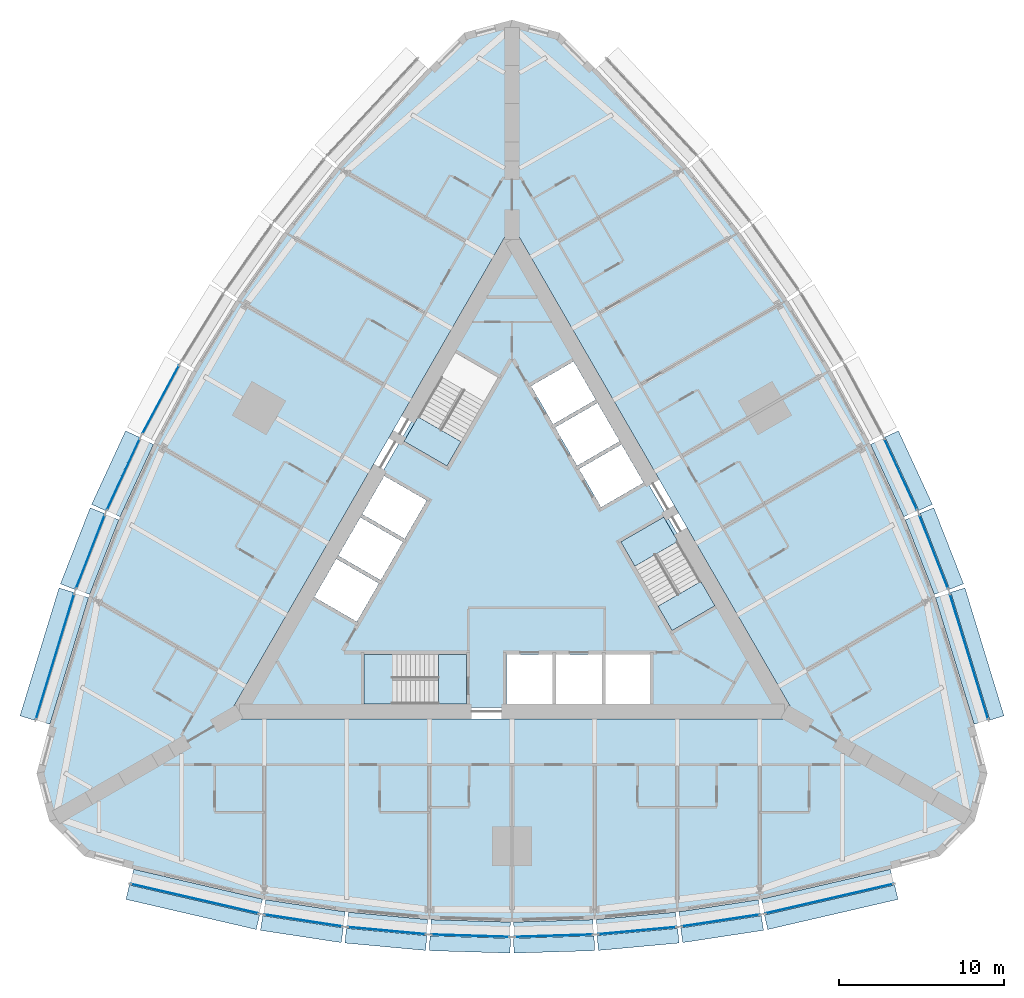
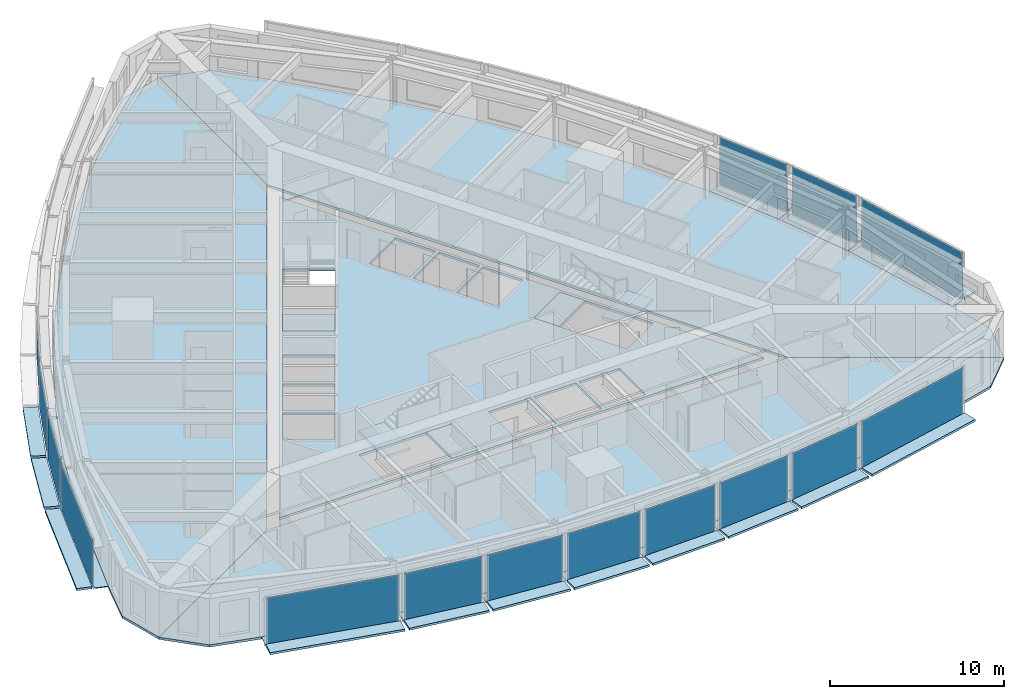
# One storey, part 6 of 14: 43 plates, 9 slabs, 18 elements without a shape of their own.
"""IFC4 building model written with IfcOpenShell, lengths in metres."""

from ifc_helpers import new_model, si_unit, direction, frame, origin, origin_2d, place, context, subcontext, project, spatial, polyline, rectangle, outline, extrude, material, layer, layer_set, type_object, element, aggregate, save


model = new_model("IFC4")

# Units and contexts
model_context = context("Model", 3, precision=1e-05, world=origin(), true_north=direction((0.0, 1.0)))
body_context = subcontext(model_context, "Body", "Model", "MODEL_VIEW")
ifc_project = project(units=[si_unit("LENGTHUNIT", "METRE"), si_unit("AREAUNIT", "SQUARE_METRE"), si_unit("VOLUMEUNIT", "CUBIC_METRE"), si_unit("PLANEANGLEUNIT", "RADIAN"), si_unit("MASSUNIT", "GRAM", prefix="KILO")], contexts=[model_context])

# Site, building, storey
site_placement = place(None, origin())
site = spatial("IfcSite", under=ifc_project, at=site_placement, CompositionType="ELEMENT")
building_placement = place(site_placement, origin())
building = spatial("IfcBuilding", under=site, at=building_placement, Name="Trikona Tower", CompositionType="ELEMENT")
storey_placement = place(building_placement, frame((0.0, 0.0, 93.10009765625)))
storey = spatial("IfcBuildingStorey", under=building, at=storey_placement, Name="L24", CompositionType="ELEMENT", Elevation=93.10009765625)

# Plates
ifc_material_1 = material(Name="Aluminium bar grating", Category="aluminium")
ifc_layer_1 = layer(ifc_material_1, 0.050048828125)
ifc_layer_set_1 = layer_set([ifc_layer_1], Name="Cavity catwalk grating")
plate_type_1 = type_object("IfcPlateType", Name="Cavity catwalk grating", PredefinedType="USERDEFINED", material=ifc_layer_set_1)
plate_1_placement = place(storey_placement, frame((-19.09228515625, -20.377197265625, -0.05029296875), z_axis=(0.0, 0.0, 1.0), x_axis=(0.974277718622, -0.225350675607, 0.0)))
element("IfcPlate", 1, at=plate_1_placement, inside=storey, type_object=plate_type_1, Name="Cavity catwalk L24-00", ObjectType="CATWALK GRATING", PredefinedType="USERDEFINED", context=body_context, shape_type="SweptSolid", body=[
    extrude(rectangle(XDim=8.01123046875, YDim=0.820068359375, at=origin_2d()), origin(), (0.0, 0.0, 1.0), 0.050048828125),
])
plate_2_placement = place(storey_placement, frame((-12.561767578125, -21.688720703125, -0.05029296875), z_axis=(0.0, 0.0, 1.0), x_axis=(0.988617896768, -0.150448177754, 0.0)))
element("IfcPlate", 2, at=plate_2_placement, inside=storey, type_object=plate_type_1, Name="Cavity catwalk L24-01", ObjectType="CATWALK GRATING", PredefinedType="USERDEFINED", context=body_context, shape_type="SweptSolid", body=[
    extrude(rectangle(XDim=4.857666015625, YDim=0.820068359375, at=origin_2d()), origin(), (0.0, 0.0, 1.0), 0.050048828125),
])
plate_3_placement = place(storey_placement, frame((-7.537353515625, -22.300537109375, -0.05029296875), z_axis=(0.0, 0.0, 1.0), x_axis=(0.995858098326, -0.090921108655, 0.0)))
element("IfcPlate", 3, at=plate_3_placement, inside=storey, type_object=plate_type_1, Name="Cavity catwalk L24-02", ObjectType="CATWALK GRATING", PredefinedType="USERDEFINED", context=body_context, shape_type="SweptSolid", body=[
    extrude(rectangle(XDim=4.82080078125, YDim=0.820068359375, at=origin_2d()), origin(), (0.0, 0.0, 1.0), 0.050048828125),
])
for number, where, z_axis, x_axis, name in (
    (4, (-2.512451171875, -22.606201171875, -0.05029296875), (0.0, 0.0, 1.0), (0.999537048889, -0.030425119525, 0.0), "Cavity catwalk L24-03"),
    (5, (2.512451171875, -22.606201171875, -0.05029296875), (0.0, 0.0, 1.0), (0.999537048889, 0.030425119525, 0.0), "Cavity catwalk L24-04"),
):
    element("IfcPlate", number, at=place(storey_placement, frame(where, z_axis=z_axis, x_axis=x_axis)), inside=storey, type_object=plate_type_1, Name=name, ObjectType="CATWALK GRATING", PredefinedType="USERDEFINED", context=body_context, shape_type="SweptSolid", body=[
        extrude(rectangle(XDim=4.80224609375, YDim=0.820068359375, at=origin_2d()), origin(), (0.0, 0.0, 1.0), 0.050048828125),
    ])
plate_4_placement = place(storey_placement, frame((7.537353515625, -22.300537109375, -0.05029296875), z_axis=(0.0, 0.0, 1.0), x_axis=(0.995858098326, 0.090921108655, 0.0)))
element("IfcPlate", 6, at=plate_4_placement, inside=storey, type_object=plate_type_1, Name="Cavity catwalk L24-05", ObjectType="CATWALK GRATING", PredefinedType="USERDEFINED", context=body_context, shape_type="SweptSolid", body=[
    extrude(rectangle(XDim=4.82080078125, YDim=0.820068359375, at=origin_2d()), origin(), (0.0, 0.0, 1.0), 0.050048828125),
])
plate_5_placement = place(storey_placement, frame((12.561767578125, -21.688720703125, -0.05029296875), z_axis=(0.0, 0.0, 1.0), x_axis=(0.988617896768, 0.150448177754, 0.0)))
element("IfcPlate", 7, at=plate_5_placement, inside=storey, type_object=plate_type_1, Name="Cavity catwalk L24-06", ObjectType="CATWALK GRATING", PredefinedType="USERDEFINED", context=body_context, shape_type="SweptSolid", body=[
    extrude(rectangle(XDim=4.857666015625, YDim=0.820068359375, at=origin_2d()), origin(), (0.0, 0.0, 1.0), 0.050048828125),
])
for number, where, z_axis, x_axis, name in (
    (8, (19.09228515625, -20.377197265625, -0.05029296875), (0.0, 0.0, 1.0), (0.974277718622, 0.225350675607, 0.0), "Cavity catwalk L24-07"),
    (9, (27.193359375, -6.345947265625, -0.05029296875), (0.0, 0.0, 1.0), (-0.291979449475, 0.956424592471, 0.0), "Cavity catwalk L24-12"),
):
    element("IfcPlate", number, at=place(storey_placement, frame(where, z_axis=z_axis, x_axis=x_axis)), inside=storey, type_object=plate_type_1, Name=name, ObjectType="CATWALK GRATING", PredefinedType="USERDEFINED", context=body_context, shape_type="SweptSolid", body=[
        extrude(rectangle(XDim=8.01123046875, YDim=0.820068359375, at=origin_2d()), origin(), (0.0, 0.0, 1.0), 0.050048828125),
    ])
plate_6_placement = place(storey_placement, frame((25.06396484375, -0.034423828125, -0.05029296875), z_axis=(0.0, 0.0, 1.0), x_axis=(-0.364008876551, 0.931395478726, 0.0)))
element("IfcPlate", 10, at=plate_6_placement, inside=storey, type_object=plate_type_1, Name="Cavity catwalk L24-13", ObjectType="CATWALK GRATING", PredefinedType="USERDEFINED", context=body_context, shape_type="SweptSolid", body=[
    extrude(rectangle(XDim=4.857666015625, YDim=0.820068359375, at=origin_2d()), origin(), (0.0, 0.0, 1.0), 0.050048828125),
])
for number, where, z_axis, x_axis, name in (
    (11, (23.081298828125, 4.622802734375, -0.05029296875), (0.0, 0.0, 1.0), (-0.41919381307, 0.907896771161, 0.0), "Cavity catwalk L24-14"),
    (12, (-23.081298828125, 4.622802734375, -0.05029296875), (0.0, 0.0, 1.0), (-0.41919381307, -0.907896771161, 0.0), "Cavity catwalk L24-29"),
):
    element("IfcPlate", number, at=place(storey_placement, frame(where, z_axis=z_axis, x_axis=x_axis)), inside=storey, type_object=plate_type_1, Name=name, ObjectType="CATWALK GRATING", PredefinedType="USERDEFINED", context=body_context, shape_type="SweptSolid", body=[
        extrude(rectangle(XDim=4.82080078125, YDim=0.820068359375, at=origin_2d()), origin(), (0.0, 0.0, 1.0), 0.050048828125),
    ])
plate_7_placement = place(storey_placement, frame((-25.06396484375, -0.034423828125, -0.05029296875), z_axis=(0.0, 0.0, 1.0), x_axis=(-0.364008876551, -0.931395478726, 0.0)))
element("IfcPlate", 13, at=plate_7_placement, inside=storey, type_object=plate_type_1, Name="Cavity catwalk L24-30", ObjectType="CATWALK GRATING", PredefinedType="USERDEFINED", context=body_context, shape_type="SweptSolid", body=[
    extrude(rectangle(XDim=4.857666015625, YDim=0.820068359375, at=origin_2d()), origin(), (0.0, 0.0, 1.0), 0.050048828125),
])
plate_8_placement = place(storey_placement, frame((-27.193359375, -6.345947265625, -0.05029296875), z_axis=(0.0, 0.0, 1.0), x_axis=(-0.291979449475, -0.956424592471, 0.0)))
element("IfcPlate", 14, at=plate_8_placement, inside=storey, type_object=plate_type_1, Name="Cavity catwalk L24-31", ObjectType="CATWALK GRATING", PredefinedType="USERDEFINED", context=body_context, shape_type="SweptSolid", body=[
    extrude(rectangle(XDim=8.01123046875, YDim=0.820068359375, at=origin_2d()), origin(), (0.0, 0.0, 1.0), 0.050048828125),
])

# Slabs
ifc_material_2 = material(Name="Concrete f'c 5000 psi lightweight on composite steel deck", Category="concrete")
ifc_layer_2 = layer(ifc_material_2, 0.1650390625)
ifc_layer_set_2 = layer_set([ifc_layer_2], Name="Composite floor slab 165")
slab_type_1 = type_object("IfcSlabType", Name="Composite floor slab 165", PredefinedType="FLOOR", material=ifc_layer_set_2)
slab_1_placement = place(storey_placement, frame((0.0, 0.0, -0.1650390625)))
element("IfcSlab", 15, at=slab_1_placement, inside=storey, type_object=slab_type_1, Name="Floor slab L24 core", PredefinedType="FLOOR", context=body_context, shape_type="SweptSolid", body=[
    extrude(outline(polyline([(-16.06689453125, -9.2763671875), (16.06689453125, -9.2763671875), (0.0, 18.552490234375), (-16.06689453125, -9.2763671875)]), holes=[polyline([(12.285400390625, -3.126220703125), (9.185302734375, 2.2431640625), (6.587158203125, 0.7431640625), (9.687255859375, -4.626220703125), (12.285400390625, -3.126220703125)]), polyline([(8.340087890625, -9.06640625), (8.340087890625, -6.086181640625), (5.659912109375, -6.086181640625), (5.659912109375, -9.06640625), (8.340087890625, -9.06640625)]), polyline([(5.390869140625, 2.835205078125), (7.9716796875, 4.3251953125), (6.631591796875, 6.646240234375), (4.05078125, 5.15625), (5.390869140625, 2.835205078125)]), polyline([(2.600830078125, 7.667724609375), (3.94091796875, 5.3466796875), (6.521484375, 6.8369140625), (5.181640625, 9.15771484375), (2.600830078125, 7.667724609375)]), polyline([(5.43994140625, -6.086181640625), (2.659912109375, -6.086181640625), (2.659912109375, -9.06640625), (5.43994140625, -9.06640625), (5.43994140625, -6.086181640625)]), polyline([(3.731689453125, 11.669189453125), (1.15087890625, 10.17919921875), (2.490966796875, 7.858154296875), (5.071533203125, 9.34814453125), (3.731689453125, 11.669189453125)]), polyline([(-0.340087890625, -6.086181640625), (-0.340087890625, -9.06640625), (2.43994140625, -9.06640625), (2.43994140625, -6.086181640625), (-0.340087890625, -6.086181640625)]), polyline([(-3.435302734375, 12.202392578125), (-6.535400390625, 6.8330078125), (-3.937255859375, 5.3330078125), (-0.837158203125, 10.702392578125), (-3.435302734375, 12.202392578125)]), polyline([(-8.949951171875, -9.076416015625), (-2.75, -9.076416015625), (-2.75, -6.076416015625), (-8.949951171875, -6.076416015625), (-8.949951171875, -9.076416015625)]), polyline([(-5.15087890625, 3.2509765625), (-7.731689453125, 4.740966796875), (-9.071533203125, 2.419921875), (-6.490966796875, 0.929931640625), (-5.15087890625, 3.2509765625)]), polyline([(-7.94091796875, -1.581298828125), (-6.600830078125, 0.739501953125), (-9.181640625, 2.2294921875), (-10.521484375, -0.09130859375), (-7.94091796875, -1.581298828125)]), polyline([(-11.9716796875, -2.602783203125), (-9.390869140625, -4.093017578125), (-8.05078125, -1.77197265625), (-10.631591796875, -0.281982421875), (-11.9716796875, -2.602783203125)])]), origin(), (0.0, 0.0, 1.0), 0.1650390625),
])
slab_2_placement = place(storey_placement, frame((0.0, 0.0, -0.1650390625)))
element("IfcSlab", 16, at=slab_2_placement, inside=storey, type_object=slab_type_1, Name="Floor slab L24 south", PredefinedType="FLOOR", context=body_context, shape_type="SweptSolid", body=[
    extrude(outline(polyline([(25.88671875, -18.279052734375), (28.0, -16.165771484375), (17.279296875, -9.976318359375), (-17.279296875, -9.976318359375), (-28.0, -16.165771484375), (-25.88671875, -18.279052734375), (-23.0, -19.052490234375), (-15.0, -20.903076171875), (-10.0, -21.663818359375), (-5.0, -22.120361328125), (0.0, -22.272705078125), (5.0, -22.120361328125), (10.0, -21.663818359375), (15.0, -20.903076171875), (23.0, -19.052490234375), (25.88671875, -18.279052734375)])), origin(), (0.0, 0.0, 1.0), 0.1650390625),
])
slab_3_placement = place(storey_placement, frame((0.0, 0.0, -0.1650390625)))
element("IfcSlab", 17, at=slab_3_placement, inside=storey, type_object=slab_type_1, Name="Floor slab L24 north-east", PredefinedType="FLOOR", context=body_context, shape_type="SweptSolid", body=[
    extrude(outline(polyline([(2.88671875, 31.55810546875), (0.0, 32.33154296875), (0.0, 19.95263671875), (17.279296875, -9.976318359375), (28.0, -16.165771484375), (28.7734375, -13.279052734375), (28.0, -10.392333984375), (25.6025390625, -2.538818359375), (23.761474609375, 2.171630859375), (21.65673828125, 6.72998046875), (19.28857421875, 11.13623046875), (16.65673828125, 15.390380859375), (13.761474609375, 19.4921875), (10.6025390625, 23.44189453125), (5.0, 29.44482421875), (2.88671875, 31.55810546875)])), origin(), (0.0, 0.0, 1.0), 0.1650390625),
])
slab_4_placement = place(storey_placement, frame((0.0, 0.0, -0.1650390625)))
element("IfcSlab", 18, at=slab_4_placement, inside=storey, type_object=slab_type_1, Name="Floor slab L24 north-west", PredefinedType="FLOOR", context=body_context, shape_type="SweptSolid", body=[
    extrude(outline(polyline([(0.0, 19.95263671875), (0.0, 32.33154296875), (-2.88671875, 31.55810546875), (-5.0, 29.44482421875), (-10.6025390625, 23.44189453125), (-13.761474609375, 19.4921875), (-16.65673828125, 15.390380859375), (-19.28857421875, 11.13623046875), (-21.65673828125, 6.72998046875), (-23.761474609375, 2.171630859375), (-25.6025390625, -2.538818359375), (-28.0, -10.392333984375), (-28.7734375, -13.279052734375), (-28.0, -16.165771484375), (-17.279296875, -9.976318359375), (0.0, 19.95263671875)])), origin(), (0.0, 0.0, 1.0), 0.1650390625),
])

# Curtain wall, plate
ifc_material_3 = material(Name="Aluminium curtain wall system", Category="aluminium")
curtain_wall_type = type_object("IfcCurtainWallType", Name="Curtain wall DS1", PredefinedType="NOTDEFINED", material=ifc_material_3)
curtain_wall_1_placement = place(storey_placement, origin())
curtain_wall_1 = element("IfcCurtainWall", 19, at=curtain_wall_1_placement, inside=storey, type_object=curtain_wall_type, Name="Curtain wall DS1 L24", PredefinedType="NOTDEFINED")
ifc_material_4 = material(Name="Laminated clear glass", Category="glass")
ifc_layer_3 = layer(ifc_material_4, 0.028076171875)
ifc_layer_set_3 = layer_set([ifc_layer_3], Name="Glass panel DS1")
plate_type_2 = type_object("IfcPlateType", Name="Glass panel DS1", PredefinedType="CURTAIN_PANEL", material=ifc_layer_set_3)
plate_9_placement = place(storey_placement, frame((-19.202880859375, -20.854736328125, 0.0), z_axis=(0.0, 0.0, 1.0), x_axis=(0.974279427173, -0.225343288756, 0.0)))
plate_9 = element("IfcPlate", 20, at=plate_9_placement, type_object=plate_type_2, Name="CW-DS1 panel 1.1", PredefinedType="CURTAIN_PANEL", context=body_context, shape_type="SweptSolid", body=[
    extrude(rectangle(XDim=7.93115234375, YDim=0.028076171875, at=origin_2d()), origin(), (0.0, 0.0, 1.0), 3.320068359375),
])
aggregate(curtain_wall_1, [plate_9])

curtain_wall_2_placement = place(storey_placement, origin())
curtain_wall_2 = element("IfcCurtainWall", 21, at=curtain_wall_2_placement, inside=storey, type_object=curtain_wall_type, Name="Curtain wall DS1 L24", PredefinedType="NOTDEFINED")
plate_10_placement = place(storey_placement, frame((-12.635498046875, -22.173095703125, 0.0), z_axis=(0.0, 0.0, 1.0), x_axis=(0.988619492156, -0.150437693845, 0.0)))
plate_10 = element("IfcPlate", 22, at=plate_10_placement, type_object=plate_type_2, Name="CW-DS1 panel 1.1", PredefinedType="CURTAIN_PANEL", context=body_context, shape_type="SweptSolid", body=[
    extrude(rectangle(XDim=4.777587890625, YDim=0.028076171875, at=origin_2d()), origin(), (0.0, 0.0, 1.0), 3.320068359375),
])
aggregate(curtain_wall_2, [plate_10])

curtain_wall_3_placement = place(storey_placement, origin())
curtain_wall_3 = element("IfcCurtainWall", 23, at=curtain_wall_3_placement, inside=storey, type_object=curtain_wall_type, Name="Curtain wall DS1 L24", PredefinedType="NOTDEFINED")
plate_11_placement = place(storey_placement, frame((-7.581787109375, -22.788330078125, 0.0), z_axis=(0.0, 0.0, 1.0), x_axis=(0.995857840485, -0.090923932737, 0.0)))
plate_11 = element("IfcPlate", 24, at=plate_11_placement, type_object=plate_type_2, Name="CW-DS1 panel 1.1", PredefinedType="CURTAIN_PANEL", context=body_context, shape_type="SweptSolid", body=[
    extrude(rectangle(XDim=4.74072265625, YDim=0.028076171875, at=origin_2d()), origin(), (0.0, 0.0, 1.0), 3.320068359375),
])
aggregate(curtain_wall_3, [plate_11])

curtain_wall_4_placement = place(storey_placement, origin())
curtain_wall_4 = element("IfcCurtainWall", 25, at=curtain_wall_4_placement, inside=storey, type_object=curtain_wall_type, Name="Curtain wall DS1 L24", PredefinedType="NOTDEFINED")
plate_12_placement = place(storey_placement, frame((-2.52734375, -23.09619140625, 0.0), z_axis=(0.0, 0.0, 1.0), x_axis=(0.999536695965, -0.030436711692, 0.0)))
plate_12 = element("IfcPlate", 26, at=plate_12_placement, type_object=plate_type_2, Name="CW-DS1 panel 1.1", PredefinedType="CURTAIN_PANEL", context=body_context, shape_type="SweptSolid", body=[
    extrude(rectangle(XDim=4.72216796875, YDim=0.028076171875, at=origin_2d()), origin(), (0.0, 0.0, 1.0), 3.320068359375),
])
aggregate(curtain_wall_4, [plate_12])

curtain_wall_5_placement = place(storey_placement, origin())
curtain_wall_5 = element("IfcCurtainWall", 27, at=curtain_wall_5_placement, inside=storey, type_object=curtain_wall_type, Name="Curtain wall DS1 L24", PredefinedType="NOTDEFINED")
plate_13_placement = place(storey_placement, frame((2.52734375, -23.09619140625, 0.0), z_axis=(0.0, 0.0, 1.0), x_axis=(0.999536695965, 0.030436711692, 0.0)))
plate_13 = element("IfcPlate", 28, at=plate_13_placement, type_object=plate_type_2, Name="CW-DS1 panel 1.1", PredefinedType="CURTAIN_PANEL", context=body_context, shape_type="SweptSolid", body=[
    extrude(rectangle(XDim=4.72216796875, YDim=0.028076171875, at=origin_2d()), origin(), (0.0, 0.0, 1.0), 3.320068359375),
])
aggregate(curtain_wall_5, [plate_13])

curtain_wall_6_placement = place(storey_placement, origin())
curtain_wall_6 = element("IfcCurtainWall", 29, at=curtain_wall_6_placement, inside=storey, type_object=curtain_wall_type, Name="Curtain wall DS1 L24", PredefinedType="NOTDEFINED")
plate_14_placement = place(storey_placement, frame((7.581787109375, -22.788330078125, 0.0), z_axis=(0.0, 0.0, 1.0), x_axis=(0.995857840485, 0.090923932737, 0.0)))
plate_14 = element("IfcPlate", 30, at=plate_14_placement, type_object=plate_type_2, Name="CW-DS1 panel 1.1", PredefinedType="CURTAIN_PANEL", context=body_context, shape_type="SweptSolid", body=[
    extrude(rectangle(XDim=4.74072265625, YDim=0.028076171875, at=origin_2d()), origin(), (0.0, 0.0, 1.0), 3.320068359375),
])
aggregate(curtain_wall_6, [plate_14])

curtain_wall_7_placement = place(storey_placement, origin())
curtain_wall_7 = element("IfcCurtainWall", 31, at=curtain_wall_7_placement, inside=storey, type_object=curtain_wall_type, Name="Curtain wall DS1 L24", PredefinedType="NOTDEFINED")
plate_15_placement = place(storey_placement, frame((12.635498046875, -22.173095703125, 0.0), z_axis=(0.0, 0.0, 1.0), x_axis=(0.988619492156, 0.150437693845, 0.0)))
plate_15 = element("IfcPlate", 32, at=plate_15_placement, type_object=plate_type_2, Name="CW-DS1 panel 1.1", PredefinedType="CURTAIN_PANEL", context=body_context, shape_type="SweptSolid", body=[
    extrude(rectangle(XDim=4.777587890625, YDim=0.028076171875, at=origin_2d()), origin(), (0.0, 0.0, 1.0), 3.320068359375),
])
aggregate(curtain_wall_7, [plate_15])

curtain_wall_8_placement = place(storey_placement, origin())
curtain_wall_8 = element("IfcCurtainWall", 33, at=curtain_wall_8_placement, inside=storey, type_object=curtain_wall_type, Name="Curtain wall DS1 L24", PredefinedType="NOTDEFINED")
plate_16_placement = place(storey_placement, frame((19.202880859375, -20.854736328125, 0.0), z_axis=(0.0, 0.0, 1.0), x_axis=(0.974279427173, 0.225343288756, 0.0)))
plate_16 = element("IfcPlate", 34, at=plate_16_placement, type_object=plate_type_2, Name="CW-DS1 panel 1.1", PredefinedType="CURTAIN_PANEL", context=body_context, shape_type="SweptSolid", body=[
    extrude(rectangle(XDim=7.93115234375, YDim=0.028076171875, at=origin_2d()), origin(), (0.0, 0.0, 1.0), 3.320068359375),
])
aggregate(curtain_wall_8, [plate_16])

curtain_wall_9_placement = place(storey_placement, origin())
curtain_wall_9 = element("IfcCurtainWall", 35, at=curtain_wall_9_placement, inside=storey, type_object=curtain_wall_type, Name="Curtain wall DS1 L24", PredefinedType="NOTDEFINED")
plate_17_placement = place(storey_placement, frame((27.662109375, -6.202880859375, 0.0), z_axis=(0.0, 0.0, 1.0), x_axis=(-0.291984287868, 0.956423115383, 0.0)))
plate_17 = element("IfcPlate", 36, at=plate_17_placement, type_object=plate_type_2, Name="CW-DS1 panel 1.1", PredefinedType="CURTAIN_PANEL", context=body_context, shape_type="SweptSolid", body=[
    extrude(rectangle(XDim=7.93115234375, YDim=0.028076171875, at=origin_2d()), origin(), (0.0, 0.0, 1.0), 3.320068359375),
])
aggregate(curtain_wall_9, [plate_17])

curtain_wall_10_placement = place(storey_placement, origin())
curtain_wall_10 = element("IfcCurtainWall", 37, at=curtain_wall_10_placement, inside=storey, type_object=curtain_wall_type, Name="Curtain wall DS1 L24", PredefinedType="NOTDEFINED")
plate_18_placement = place(storey_placement, frame((25.520263671875, 0.14404296875, 0.0), z_axis=(0.0, 0.0, 1.0), x_axis=(-0.36400756977, 0.931395989443, 0.0)))
plate_18 = element("IfcPlate", 38, at=plate_18_placement, type_object=plate_type_2, Name="CW-DS1 panel 1.1", PredefinedType="CURTAIN_PANEL", context=body_context, shape_type="SweptSolid", body=[
    extrude(rectangle(XDim=4.777587890625, YDim=0.028076171875, at=origin_2d()), origin(), (0.0, 0.0, 1.0), 3.320068359375),
])
aggregate(curtain_wall_10, [plate_18])

curtain_wall_11_placement = place(storey_placement, origin())
curtain_wall_11 = element("IfcCurtainWall", 39, at=curtain_wall_11_placement, inside=storey, type_object=curtain_wall_type, Name="Curtain wall DS1 L24", PredefinedType="NOTDEFINED")
plate_19_placement = place(storey_placement, frame((23.5263671875, 4.828125, 0.0), z_axis=(0.0, 0.0, 1.0), x_axis=(-0.419190155352, 0.907898459992, 0.0)))
plate_19 = element("IfcPlate", 40, at=plate_19_placement, type_object=plate_type_2, Name="CW-DS1 panel 1.1", PredefinedType="CURTAIN_PANEL", context=body_context, shape_type="SweptSolid", body=[
    extrude(rectangle(XDim=4.740966796875, YDim=0.028076171875, at=origin_2d()), origin(), (0.0, 0.0, 1.0), 3.320068359375),
])
aggregate(curtain_wall_11, [plate_19])

curtain_wall_12_placement = place(storey_placement, origin())
curtain_wall_12 = element("IfcCurtainWall", 41, at=curtain_wall_12_placement, inside=storey, type_object=curtain_wall_type, Name="Curtain wall DS1 L24", PredefinedType="NOTDEFINED")
plate_20_placement = place(storey_placement, frame((-21.265380859375, 9.359130859375, 0.0), z_axis=(0.0, 0.0, 1.0), x_axis=(-0.473408350896, -0.880843080975, 0.0)))
plate_20 = element("IfcPlate", 42, at=plate_20_placement, type_object=plate_type_2, Name="CW-DS1 panel 1.1", PredefinedType="CURTAIN_PANEL", context=body_context, shape_type="SweptSolid", body=[
    extrude(rectangle(XDim=4.72216796875, YDim=0.028076171875, at=origin_2d()), origin(), (0.0, 0.0, 1.0), 3.320068359375),
])
aggregate(curtain_wall_12, [plate_20])

curtain_wall_13_placement = place(storey_placement, origin())
curtain_wall_13 = element("IfcCurtainWall", 43, at=curtain_wall_13_placement, inside=storey, type_object=curtain_wall_type, Name="Curtain wall DS1 L24", PredefinedType="NOTDEFINED")
plate_21_placement = place(storey_placement, frame((-23.5263671875, 4.828125, 0.0), z_axis=(0.0, 0.0, 1.0), x_axis=(-0.419190155352, -0.907898459992, 0.0)))
plate_21 = element("IfcPlate", 44, at=plate_21_placement, type_object=plate_type_2, Name="CW-DS1 panel 1.1", PredefinedType="CURTAIN_PANEL", context=body_context, shape_type="SweptSolid", body=[
    extrude(rectangle(XDim=4.740966796875, YDim=0.028076171875, at=origin_2d()), origin(), (0.0, 0.0, 1.0), 3.320068359375),
])
aggregate(curtain_wall_13, [plate_21])

curtain_wall_14_placement = place(storey_placement, origin())
curtain_wall_14 = element("IfcCurtainWall", 45, at=curtain_wall_14_placement, inside=storey, type_object=curtain_wall_type, Name="Curtain wall DS1 L24", PredefinedType="NOTDEFINED")
plate_22_placement = place(storey_placement, frame((-25.520263671875, 0.14404296875, 0.0), z_axis=(0.0, 0.0, 1.0), x_axis=(-0.36400756977, -0.931395989443, 0.0)))
plate_22 = element("IfcPlate", 46, at=plate_22_placement, type_object=plate_type_2, Name="CW-DS1 panel 1.1", PredefinedType="CURTAIN_PANEL", context=body_context, shape_type="SweptSolid", body=[
    extrude(rectangle(XDim=4.777587890625, YDim=0.028076171875, at=origin_2d()), origin(), (0.0, 0.0, 1.0), 3.320068359375),
])
aggregate(curtain_wall_14, [plate_22])

curtain_wall_15_placement = place(storey_placement, origin())
curtain_wall_15 = element("IfcCurtainWall", 47, at=curtain_wall_15_placement, inside=storey, type_object=curtain_wall_type, Name="Curtain wall DS1 L24", PredefinedType="NOTDEFINED")
plate_23_placement = place(storey_placement, frame((-27.662109375, -6.202880859375, 0.0), z_axis=(0.0, 0.0, 1.0), x_axis=(-0.291984287868, -0.956423115383, 0.0)))
plate_23 = element("IfcPlate", 48, at=plate_23_placement, type_object=plate_type_2, Name="CW-DS1 panel 1.1", PredefinedType="CURTAIN_PANEL", context=body_context, shape_type="SweptSolid", body=[
    extrude(rectangle(XDim=7.93115234375, YDim=0.028076171875, at=origin_2d()), origin(), (0.0, 0.0, 1.0), 3.320068359375),
])
aggregate(curtain_wall_15, [plate_23])

# Plates
ifc_material_5 = material(Name="Aluminium plate fin, pale anodised, on stainless steel outriggers", Category="steel")
ifc_layer_4 = layer(ifc_material_5, 0.14990234375)
ifc_layer_set_4 = layer_set([ifc_layer_4], Name="Outer skin fin 900")
plate_type_3 = type_object("IfcPlateType", Name="Outer skin fin 900", PredefinedType="USERDEFINED", material=ifc_layer_set_4)
plate_24_placement = place(storey_placement, frame((-19.322265625, -21.37109375, 0.0), z_axis=(0.0, 0.0, 1.0), x_axis=(0.974277718622, -0.225350675607, 0.0)))
element("IfcPlate", 49, at=plate_24_placement, inside=storey, type_object=plate_type_3, Name="Outer skin fin L24-00", ObjectType="FIN", PredefinedType="USERDEFINED", context=body_context, shape_type="SweptSolid", body=[
    extrude(rectangle(XDim=8.09130859375, YDim=0.89990234375, at=origin_2d()), origin(), (0.0, 0.0, 1.0), 0.14990234375),
])
plate_25_placement = place(storey_placement, frame((-12.715087890625, -22.697265625, 0.0), z_axis=(0.0, 0.0, 1.0), x_axis=(0.988617896768, -0.150448177754, 0.0)))
element("IfcPlate", 50, at=plate_25_placement, inside=storey, type_object=plate_type_3, Name="Outer skin fin L24-01", ObjectType="FIN", PredefinedType="USERDEFINED", context=body_context, shape_type="SweptSolid", body=[
    extrude(rectangle(XDim=4.9375, YDim=0.89990234375, at=origin_2d()), origin(), (0.0, 0.0, 1.0), 0.14990234375),
])
plate_26_placement = place(storey_placement, frame((-7.6298828125, -23.316162109375, 0.0), z_axis=(0.0, 0.0, 1.0), x_axis=(0.995858098326, -0.090921108655, 0.0)))
element("IfcPlate", 51, at=plate_26_placement, inside=storey, type_object=plate_type_3, Name="Outer skin fin L24-02", ObjectType="FIN", PredefinedType="USERDEFINED", context=body_context, shape_type="SweptSolid", body=[
    extrude(rectangle(XDim=4.90087890625, YDim=0.89990234375, at=origin_2d()), origin(), (0.0, 0.0, 1.0), 0.14990234375),
])
for number, where, z_axis, x_axis, name in (
    (52, (-2.54345703125, -23.625732421875, 0.0), (0.0, 0.0, 1.0), (0.999537048889, -0.030425119525, 0.0), "Outer skin fin L24-03"),
    (53, (2.54345703125, -23.625732421875, 0.0), (0.0, 0.0, 1.0), (0.999537048889, 0.030425119525, 0.0), "Outer skin fin L24-04"),
):
    element("IfcPlate", number, at=place(storey_placement, frame(where, z_axis=z_axis, x_axis=x_axis)), inside=storey, type_object=plate_type_3, Name=name, ObjectType="FIN", PredefinedType="USERDEFINED", context=body_context, shape_type="SweptSolid", body=[
        extrude(rectangle(XDim=4.88232421875, YDim=0.89990234375, at=origin_2d()), origin(), (0.0, 0.0, 1.0), 0.14990234375),
    ])
plate_27_placement = place(storey_placement, frame((7.6298828125, -23.316162109375, 0.0), z_axis=(0.0, 0.0, 1.0), x_axis=(0.995858098326, 0.090921108655, 0.0)))
element("IfcPlate", 54, at=plate_27_placement, inside=storey, type_object=plate_type_3, Name="Outer skin fin L24-05", ObjectType="FIN", PredefinedType="USERDEFINED", context=body_context, shape_type="SweptSolid", body=[
    extrude(rectangle(XDim=4.90087890625, YDim=0.89990234375, at=origin_2d()), origin(), (0.0, 0.0, 1.0), 0.14990234375),
])
plate_28_placement = place(storey_placement, frame((12.715087890625, -22.697265625, 0.0), z_axis=(0.0, 0.0, 1.0), x_axis=(0.988617896768, 0.150448177754, 0.0)))
element("IfcPlate", 55, at=plate_28_placement, inside=storey, type_object=plate_type_3, Name="Outer skin fin L24-06", ObjectType="FIN", PredefinedType="USERDEFINED", context=body_context, shape_type="SweptSolid", body=[
    extrude(rectangle(XDim=4.9375, YDim=0.89990234375, at=origin_2d()), origin(), (0.0, 0.0, 1.0), 0.14990234375),
])
for number, where, z_axis, x_axis, name in (
    (56, (19.322265625, -21.37109375, 0.0), (0.0, 0.0, 1.0), (0.974277718622, 0.225350675607, 0.0), "Outer skin fin L24-07"),
    (57, (28.1689453125, -6.048095703125, 0.0), (0.0, 0.0, 1.0), (-0.291979449475, 0.956424592471, 0.0), "Outer skin fin L24-12"),
):
    element("IfcPlate", number, at=place(storey_placement, frame(where, z_axis=z_axis, x_axis=x_axis)), inside=storey, type_object=plate_type_3, Name=name, ObjectType="FIN", PredefinedType="USERDEFINED", context=body_context, shape_type="SweptSolid", body=[
        extrude(rectangle(XDim=8.09130859375, YDim=0.89990234375, at=origin_2d()), origin(), (0.0, 0.0, 1.0), 0.14990234375),
    ])
plate_29_placement = place(storey_placement, frame((26.013916015625, 0.3369140625, 0.0), z_axis=(0.0, 0.0, 1.0), x_axis=(-0.364008876551, 0.931395478726, 0.0)))
element("IfcPlate", 58, at=plate_29_placement, inside=storey, type_object=plate_type_3, Name="Outer skin fin L24-13", ObjectType="FIN", PredefinedType="USERDEFINED", context=body_context, shape_type="SweptSolid", body=[
    extrude(rectangle(XDim=4.9375, YDim=0.89990234375, at=origin_2d()), origin(), (0.0, 0.0, 1.0), 0.14990234375),
])
for number, where, z_axis, x_axis, name in (
    (59, (24.00732421875, 5.05029296875, 0.0), (0.0, 0.0, 1.0), (-0.41919381307, 0.907896771161, 0.0), "Outer skin fin L24-14"),
    (60, (-24.00732421875, 5.05029296875, 0.0), (0.0, 0.0, 1.0), (-0.41919381307, -0.907896771161, 0.0), "Outer skin fin L24-29"),
):
    element("IfcPlate", number, at=place(storey_placement, frame(where, z_axis=z_axis, x_axis=x_axis)), inside=storey, type_object=plate_type_3, Name=name, ObjectType="FIN", PredefinedType="USERDEFINED", context=body_context, shape_type="SweptSolid", body=[
        extrude(rectangle(XDim=4.90087890625, YDim=0.89990234375, at=origin_2d()), origin(), (0.0, 0.0, 1.0), 0.14990234375),
    ])
plate_30_placement = place(storey_placement, frame((-26.013916015625, 0.3369140625, 0.0), z_axis=(0.0, 0.0, 1.0), x_axis=(-0.364008876551, -0.931395478726, 0.0)))
element("IfcPlate", 61, at=plate_30_placement, inside=storey, type_object=plate_type_3, Name="Outer skin fin L24-30", ObjectType="FIN", PredefinedType="USERDEFINED", context=body_context, shape_type="SweptSolid", body=[
    extrude(rectangle(XDim=4.9375, YDim=0.89990234375, at=origin_2d()), origin(), (0.0, 0.0, 1.0), 0.14990234375),
])
plate_31_placement = place(storey_placement, frame((-28.1689453125, -6.048095703125, 0.0), z_axis=(0.0, 0.0, 1.0), x_axis=(-0.291979449475, -0.956424592471, 0.0)))
element("IfcPlate", 62, at=plate_31_placement, inside=storey, type_object=plate_type_3, Name="Outer skin fin L24-31", ObjectType="FIN", PredefinedType="USERDEFINED", context=body_context, shape_type="SweptSolid", body=[
    extrude(rectangle(XDim=8.09130859375, YDim=0.89990234375, at=origin_2d()), origin(), (0.0, 0.0, 1.0), 0.14990234375),
])

# Stair, slabs
ifc_material_6 = material(Name="Concrete f'c 5000 psi", Category="concrete")
stair_type = type_object("IfcStairType", Name="Core stair", PredefinedType="HALF_TURN_STAIR", material=ifc_material_6)
stair_1_placement = place(storey_placement, origin())
stair_1 = element("IfcStair", 63, at=stair_1_placement, inside=storey, type_object=stair_type, Name="Stair A L24", PredefinedType="HALF_TURN_STAIR")
ifc_material_7 = material(Name="Concrete f'c 5000 psi", Category="concrete")
ifc_layer_5 = layer(ifc_material_7, 0.199951171875)
ifc_layer_set_5 = layer_set([ifc_layer_5], Name="Stair landing 200")
slab_type_2 = type_object("IfcSlabType", Name="Stair landing 200", PredefinedType="LANDING", material=ifc_layer_set_5)
slab_5_placement = place(storey_placement, frame((0.0, 0.0, -0.2001953125)))
slab_5 = element("IfcSlab", 64, at=slab_5_placement, type_object=slab_type_2, Name="ST-A landing 1", PredefinedType="LANDING", context=body_context, shape_type="SweptSolid", body=[
    extrude(outline(polyline([(-4.452880859375, -6.076416015625), (-2.75, -6.076416015625), (-2.75, -9.076416015625), (-4.452880859375, -9.076416015625), (-4.452880859375, -6.076416015625)])), origin(), (0.0, 0.0, 1.0), 0.2001953125),
])
slab_6_placement = place(storey_placement, frame((0.0, 0.0, 1.5)))
slab_6 = element("IfcSlab", 65, at=slab_6_placement, type_object=slab_type_2, Name="ST-A landing 2", PredefinedType="LANDING", context=body_context, shape_type="SweptSolid", body=[
    extrude(outline(polyline([(-8.949951171875, -6.076416015625), (-7.2470703125, -6.076416015625), (-7.2470703125, -9.076416015625), (-8.949951171875, -9.076416015625), (-8.949951171875, -6.076416015625)])), origin(), (0.0, 0.0, 1.0), 0.199951171875),
])
aggregate(stair_1, [slab_5, slab_6])

stair_2_placement = place(storey_placement, origin())
stair_2 = element("IfcStair", 66, at=stair_2_placement, inside=storey, type_object=stair_type, Name="Stair B L24", PredefinedType="HALF_TURN_STAIR")
slab_7_placement = place(storey_placement, frame((0.0, 0.0, -0.2001953125)))
slab_7 = element("IfcSlab", 67, at=slab_7_placement, type_object=slab_type_2, Name="ST-B landing 1", PredefinedType="LANDING", context=body_context, shape_type="SweptSolid", body=[
    extrude(outline(polyline([(7.438720703125, -0.731689453125), (6.587158203125, 0.7431640625), (9.185302734375, 2.2431640625), (10.036865234375, 0.768310546875), (7.438720703125, -0.731689453125)])), origin(), (0.0, 0.0, 1.0), 0.2001953125),
])
slab_8_placement = place(storey_placement, frame((0.0, 0.0, 1.5)))
slab_8 = element("IfcSlab", 68, at=slab_8_placement, type_object=slab_type_2, Name="ST-B landing 2", PredefinedType="LANDING", context=body_context, shape_type="SweptSolid", body=[
    extrude(outline(polyline([(9.687255859375, -4.626220703125), (8.835693359375, -3.1513671875), (11.433837890625, -1.6513671875), (12.285400390625, -3.126220703125), (9.687255859375, -4.626220703125)])), origin(), (0.0, 0.0, 1.0), 0.199951171875),
])
aggregate(stair_2, [slab_7, slab_8])

# Stair, slab
stair_3_placement = place(storey_placement, origin())
stair_3 = element("IfcStair", 69, at=stair_3_placement, inside=storey, type_object=stair_type, Name="Stair C L24", PredefinedType="HALF_TURN_STAIR")
slab_9_placement = place(storey_placement, frame((0.0, 0.0, -0.2001953125)))
slab_9 = element("IfcSlab", 70, at=slab_9_placement, type_object=slab_type_2, Name="ST-C landing 1", PredefinedType="LANDING", context=body_context, shape_type="SweptSolid", body=[
    extrude(outline(polyline([(-3.085693359375, 6.807861328125), (-3.937255859375, 5.3330078125), (-6.535400390625, 6.8330078125), (-5.683837890625, 8.307861328125), (-3.085693359375, 6.807861328125)])), origin(), (0.0, 0.0, 1.0), 0.2001953125),
])
aggregate(stair_3, [slab_9])

save(model, "model.ifc")
